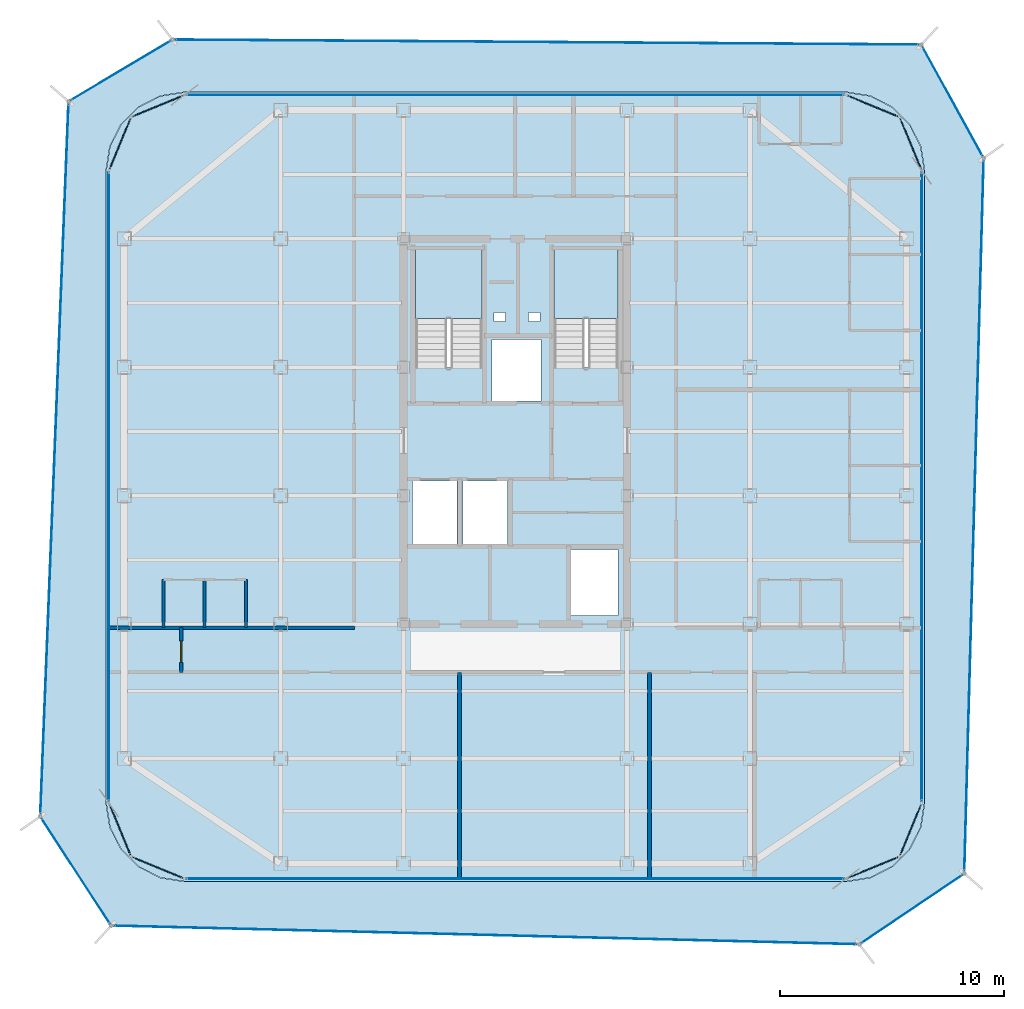
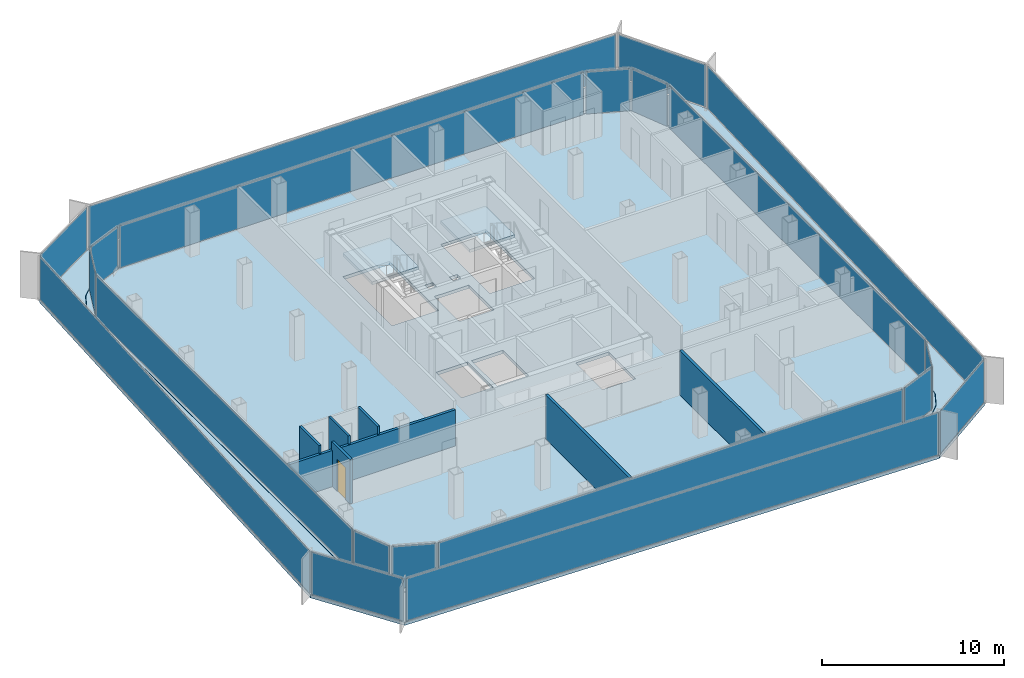
# One storey, part 9 of 15: 20 plates, 8 walls, 4 slabs, 1 door, 1 opening, 22 elements without a shape of their own.
"""IFC4 building model written with IfcOpenShell, lengths in metres."""

from ifc_helpers import new_model, si_unit, direction, frame, frame_2d, origin, origin_2d, place, context, subcontext, project, spatial, polyline, rectangle, outline, extrude, source, transform, mapped, material, layer, layer_set, type_object, element, fill, aggregate, save


model = new_model("IFC4")

# Units and contexts
model_context = context("Model", 3, precision=1e-05, world=origin(), true_north=direction((0.0, 1.0)))
body_context = subcontext(model_context, "Body", "Model", "MODEL_VIEW")
ifc_project = project(units=[si_unit("LENGTHUNIT", "METRE"), si_unit("AREAUNIT", "SQUARE_METRE"), si_unit("VOLUMEUNIT", "CUBIC_METRE"), si_unit("PLANEANGLEUNIT", "RADIAN"), si_unit("MASSUNIT", "GRAM", prefix="KILO")], contexts=[model_context])

# Site, building, storey
site_placement = place(None, origin())
site = spatial("IfcSite", under=ifc_project, at=site_placement, CompositionType="ELEMENT")
building_placement = place(site_placement, origin())
building = spatial("IfcBuilding", under=site, at=building_placement, Name="Kolveth Station Tower", CompositionType="ELEMENT")
storey_placement = place(building_placement, frame((0.0, 0.0, 268.10009765625)))
storey = spatial("IfcBuildingStorey", under=building, at=storey_placement, Name="L77", CompositionType="ELEMENT", Elevation=268.10009765625)

# Slab
ifc_material_1 = material(Name="Concrete C40/50", Category="concrete")
ifc_layer_1 = layer(ifc_material_1, 0.219970703125)
ifc_layer_set_1 = layer_set([ifc_layer_1], Name="Concrete C40/50")
slab_type_1 = type_object("IfcSlabType", Name="Slab_SF-220", PredefinedType="FLOOR", material=ifc_layer_set_1)
slab_1_placement = place(storey_placement, frame((0.0, 0.0, -0.22021484375)))
element("IfcSlab", 1, at=slab_1_placement, inside=storey, type_object=slab_type_1, Name="L77 Tower Structural Floor Slab", PredefinedType="FLOOR", context=body_context, shape_type="SweptSolid", body=[
    extrude(outline(polyline([(38.300048828125, 0.0), (39.381591796875, 0.17138671875), (40.357177734375, 0.66845703125), (41.131591796875, 1.44287109375), (41.628662109375, 2.41845703125), (41.800048828125, 3.5), (41.800048828125, 31.800048828125), (41.628662109375, 32.881591796875), (41.131591796875, 33.857177734375), (40.357177734375, 34.631591796875), (39.381591796875, 35.128662109375), (38.300048828125, 35.300048828125), (8.699951171875, 35.300048828125), (7.618408203125, 35.128662109375), (6.642822265625, 34.631591796875), (5.868408203125, 33.857177734375), (5.371337890625, 32.881591796875), (5.199951171875, 31.800048828125), (5.199951171875, 3.5), (5.371337890625, 2.41845703125), (5.868408203125, 1.44287109375), (6.642822265625, 0.66845703125), (7.618408203125, 0.17138671875), (8.699951171875, 0.0), (38.300048828125, 0.0)]), holes=[polyline([(19.0400390625, 22.985107421875), (22.0, 22.985107421875), (22.0, 28.39990234375), (19.0400390625, 28.39990234375), (19.0400390625, 22.985107421875)]), polyline([(25.239990234375, 22.985107421875), (28.10009765625, 22.985107421875), (28.10009765625, 28.39990234375), (25.239990234375, 28.39990234375), (25.239990234375, 22.985107421875)]), polyline([(18.89990234375, 15.10009765625), (20.89990234375, 15.10009765625), (20.89990234375, 17.89990234375), (18.89990234375, 17.89990234375), (18.89990234375, 15.10009765625)]), polyline([(21.14990234375, 15.10009765625), (23.14990234375, 15.10009765625), (23.14990234375, 17.89990234375), (21.14990234375, 17.89990234375), (21.14990234375, 15.10009765625)]), polyline([(22.449951171875, 21.5), (24.64990234375, 21.5), (24.64990234375, 24.25), (22.449951171875, 24.25), (22.449951171875, 21.5)]), polyline([(26.0, 11.89990234375), (28.10009765625, 11.89990234375), (28.10009765625, 14.85009765625), (26.0, 14.85009765625), (26.0, 11.89990234375)]), polyline([(22.550048828125, 25.050048828125), (23.050048828125, 25.050048828125), (23.050048828125, 25.449951171875), (22.550048828125, 25.449951171875), (22.550048828125, 25.050048828125)]), polyline([(24.10009765625, 25.050048828125), (24.60009765625, 25.050048828125), (24.60009765625, 25.449951171875), (24.10009765625, 25.449951171875), (24.10009765625, 25.050048828125)])]), origin(), (0.0, 0.0, 1.0), 0.22021484375),
])

# Stair, slab
stair_type_1 = type_object("IfcStairType", Name="Stair_ST2", PredefinedType="HALF_TURN_STAIR", material=ifc_material_1)
stair_1_placement = place(storey_placement, origin())
stair_1 = element("IfcStair", 2, at=stair_1_placement, inside=storey, type_object=stair_type_1, Name="L77 Tower Exit Stair ST2", PredefinedType="HALF_TURN_STAIR")
ifc_layer_2 = layer(ifc_material_1, 0.18994140625)
ifc_layer_set_2 = layer_set([ifc_layer_2], Name="Concrete C40/50")
slab_type_2 = type_object("IfcSlabType", Name="Slab_SL-190", PredefinedType="LANDING", material=ifc_layer_set_2)
slab_2_placement = place(storey_placement, frame((0.0, 0.0, 1.39990234375)))
slab_2 = element("IfcSlab", 3, at=slab_2_placement, type_object=slab_type_2, Name="ST2 landing 1", PredefinedType="LANDING", context=body_context, shape_type="SweptSolid", body=[
    extrude(outline(polyline([(28.10009765625, 25.18994140625), (28.10009765625, 28.39990234375), (25.239990234375, 28.39990234375), (25.239990234375, 25.18994140625), (28.10009765625, 25.18994140625)])), origin(), (0.0, 0.0, 1.0), 0.199951171875),
])
aggregate(stair_1, [slab_2])

stair_type_2 = type_object("IfcStairType", Name="Stair_ST1", PredefinedType="HALF_TURN_STAIR", material=ifc_material_1)
stair_2_placement = place(storey_placement, origin())
stair_2 = element("IfcStair", 4, at=stair_2_placement, inside=storey, type_object=stair_type_2, Name="L77 Tower Exit Stair ST1", PredefinedType="HALF_TURN_STAIR")
ifc_layer_3 = layer(ifc_material_1, 0.205078125)
ifc_layer_set_3 = layer_set([ifc_layer_3], Name="Concrete C40/50")
slab_type_3 = type_object("IfcSlabType", Name="Slab_SL-205", PredefinedType="LANDING", material=ifc_layer_set_3)
slab_3_placement = place(storey_placement, frame((0.0, 0.0, 1.39990234375)))
slab_3 = element("IfcSlab", 5, at=slab_3_placement, type_object=slab_type_3, Name="ST1 landing 1", PredefinedType="LANDING", context=body_context, shape_type="SweptSolid", body=[
    extrude(outline(polyline([(22.0, 25.18994140625), (22.0, 28.39990234375), (19.0400390625, 28.39990234375), (19.0400390625, 25.18994140625), (22.0, 25.18994140625)])), origin(), (0.0, 0.0, 1.0), 0.199951171875),
])
aggregate(stair_2, [slab_3])

# Slab
ifc_layer_4 = layer(ifc_material_1, 0.2099609375)
ifc_layer_set_4 = layer_set([ifc_layer_4], Name="Concrete C40/50")
slab_type_4 = type_object("IfcSlabType", Name="Slab_ST-210", PredefinedType="FLOOR", material=ifc_layer_set_4)
slab_4_placement = place(storey_placement, frame((0.0, 0.0, -0.210205078125)))
element("IfcSlab", 6, at=slab_4_placement, inside=storey, type_object=slab_type_4, Name="L77 Double-Skin Cavity Structural Ledger Ring", PredefinedType="FLOOR", context=body_context, shape_type="SweptSolid", body=[
    extrude(outline(polyline([(5.4208984375, -1.98291015625), (2.248291015625, 2.903564453125), (3.5166015625, 34.889892578125), (8.1630859375, 37.6552734375), (41.664306640625, 37.431640625), (44.456787109375, 32.35986328125), (43.589599609375, 0.349365234375), (38.894287109375, -2.819091796875), (5.4208984375, -1.98291015625)]), holes=[polyline([(38.30224609375, -0.014892578125), (39.3837890625, 0.156494140625), (39.388427734375, 0.157958984375), (40.364013671875, 0.655029296875), (40.367919921875, 0.65771484375), (41.14208984375, 1.43212890625), (41.14501953125, 1.43603515625), (41.64208984375, 2.41162109375), (41.6435546875, 2.416015625), (41.814697265625, 3.497802734375), (41.81494140625, 3.5), (41.81494140625, 31.800048828125), (41.814697265625, 31.80224609375), (41.6435546875, 32.8837890625), (41.64208984375, 32.888427734375), (41.14501953125, 33.864013671875), (41.14208984375, 33.867919921875), (40.367919921875, 34.64208984375), (40.364013671875, 34.64501953125), (39.388427734375, 35.14208984375), (39.3837890625, 35.1435546875), (38.30224609375, 35.314697265625), (38.300048828125, 35.31494140625), (8.699951171875, 35.31494140625), (8.69775390625, 35.314697265625), (7.6162109375, 35.1435546875), (7.611572265625, 35.14208984375), (6.635986328125, 34.64501953125), (6.632080078125, 34.64208984375), (5.85791015625, 33.867919921875), (5.85498046875, 33.864013671875), (5.35791015625, 32.888427734375), (5.3564453125, 32.8837890625), (5.185302734375, 31.80224609375), (5.18505859375, 31.800048828125), (5.18505859375, 3.5), (5.185302734375, 3.497802734375), (5.3564453125, 2.416015625), (5.35791015625, 2.41162109375), (5.85498046875, 1.43603515625), (5.85791015625, 1.43212890625), (6.632080078125, 0.65771484375), (6.635986328125, 0.655029296875), (7.611572265625, 0.157958984375), (7.6162109375, 0.156494140625), (8.69775390625, -0.014892578125), (8.699951171875, -0.014892578125), (38.300048828125, -0.014892578125), (38.30224609375, -0.014892578125)])]), origin(), (0.0, 0.0, 1.0), 0.210205078125),
])

# Curtain wall, plate
ifc_material_2 = material(Name="Aluminium 6063-T6 and triple low-E dark glass", Category="aluminium")
ifc_layer_5 = layer(ifc_material_2, 0.199951171875)
ifc_layer_set_5 = layer_set([ifc_layer_5], Name="Aluminium 6063-T6 and triple low-E dark glass")
curtain_wall_type_1 = type_object("IfcCurtainWallType", Name="CurtainWall_CW-Z3", PredefinedType="NOTDEFINED", material=ifc_layer_set_5)
curtain_wall_1_placement = place(storey_placement, origin())
curtain_wall_1 = element("IfcCurtainWall", 7, at=curtain_wall_1_placement, inside=storey, type_object=curtain_wall_type_1, Name="L77 Inner Thermal Curtain Wall 1", PredefinedType="NOTDEFINED")
ifc_material_3 = material(Name="Architectural low-E dark glass", Category="glass")
ifc_layer_6 = layer(ifc_material_3, 0.0419921875)
ifc_layer_set_6 = layer_set([ifc_layer_6], Name="Architectural low-E dark glass")
plate_type_1 = type_object("IfcPlateType", Name="Panel_GL3", PredefinedType="CURTAIN_PANEL", material=ifc_layer_set_6)
shared_shape_1 = source(origin(), body_context, "Body", "SweptSolid", [
    extrude(rectangle(XDim=2.430908203125, YDim=0.0419921875, at=origin_2d()), origin(), (0.0, 0.0, 1.0), 2.823974609375),
])
plate_1_placement = place(storey_placement, frame((39.4951171875, 0.614990234375, 0.078125), z_axis=(0.0, 0.0, 1.0), x_axis=(0.923875488975, 0.382693194181, 0.0)))
plate_1 = element("IfcPlate", 8, at=plate_1_placement, type_object=plate_type_1, Name="CW-Z3 panel 1.1", PredefinedType="CURTAIN_PANEL", context=body_context, shape_type="MappedRepresentation", body=[
    mapped(shared_shape_1, transform((0.0, 0.0, 0.0), x_axis=(1.0, 0.0, 0.0), y_axis=(0.0, 1.0, 0.0), z_axis=(0.0, 0.0, 1.0), scale=1.0)),
])
aggregate(curtain_wall_1, [plate_1])

curtain_wall_2_placement = place(storey_placement, origin())
curtain_wall_2 = element("IfcCurtainWall", 9, at=curtain_wall_2_placement, inside=storey, type_object=curtain_wall_type_1, Name="L77 Inner Thermal Curtain Wall 2", PredefinedType="NOTDEFINED")
plate_2_placement = place(storey_placement, frame((41.18505859375, 2.304931640625, 0.078125), z_axis=(0.0, 0.0, 1.0), x_axis=(0.382693194181, 0.923875488975, 0.0)))
plate_2 = element("IfcPlate", 10, at=plate_2_placement, type_object=plate_type_1, Name="CW-Z3 panel 1.1", PredefinedType="CURTAIN_PANEL", context=body_context, shape_type="MappedRepresentation", body=[
    mapped(shared_shape_1, transform((0.0, 0.0, 0.0), x_axis=(1.0, 0.0, 0.0), y_axis=(0.0, 1.0, 0.0), z_axis=(0.0, 0.0, 1.0), scale=1.0)),
])
aggregate(curtain_wall_2, [plate_2])

curtain_wall_3_placement = place(storey_placement, origin())
curtain_wall_3 = element("IfcCurtainWall", 11, at=curtain_wall_3_placement, inside=storey, type_object=curtain_wall_type_1, Name="L77 Inner Thermal Curtain Wall 4", PredefinedType="NOTDEFINED")
plate_3_placement = place(storey_placement, frame((41.18505859375, 32.9951171875, 0.078125), z_axis=(0.0, 0.0, 1.0), x_axis=(-0.382693194181, 0.923875488975, 0.0)))
plate_3 = element("IfcPlate", 12, at=plate_3_placement, type_object=plate_type_1, Name="CW-Z3 panel 1.1", PredefinedType="CURTAIN_PANEL", context=body_context, shape_type="MappedRepresentation", body=[
    mapped(shared_shape_1, transform((0.0, 0.0, 0.0), x_axis=(1.0, 0.0, 0.0), y_axis=(0.0, 1.0, 0.0), z_axis=(0.0, 0.0, 1.0), scale=1.0)),
])
aggregate(curtain_wall_3, [plate_3])

curtain_wall_4_placement = place(storey_placement, origin())
curtain_wall_4 = element("IfcCurtainWall", 13, at=curtain_wall_4_placement, inside=storey, type_object=curtain_wall_type_1, Name="L77 Inner Thermal Curtain Wall 5", PredefinedType="NOTDEFINED")
plate_4_placement = place(storey_placement, frame((39.4951171875, 34.68505859375, 0.078125), z_axis=(0.0, 0.0, 1.0), x_axis=(-0.923875488975, 0.382693194181, 0.0)))
plate_4 = element("IfcPlate", 14, at=plate_4_placement, type_object=plate_type_1, Name="CW-Z3 panel 1.1", PredefinedType="CURTAIN_PANEL", context=body_context, shape_type="MappedRepresentation", body=[
    mapped(shared_shape_1, transform((0.0, 0.0, 0.0), x_axis=(1.0, 0.0, 0.0), y_axis=(0.0, 1.0, 0.0), z_axis=(0.0, 0.0, 1.0), scale=1.0)),
])
aggregate(curtain_wall_4, [plate_4])

curtain_wall_5_placement = place(storey_placement, origin())
curtain_wall_5 = element("IfcCurtainWall", 15, at=curtain_wall_5_placement, inside=storey, type_object=curtain_wall_type_1, Name="L77 Inner Thermal Curtain Wall 7", PredefinedType="NOTDEFINED")
plate_5_placement = place(storey_placement, frame((7.5048828125, 34.68505859375, 0.078125), z_axis=(0.0, 0.0, 1.0), x_axis=(-0.923875488975, -0.382693194181, 0.0)))
plate_5 = element("IfcPlate", 16, at=plate_5_placement, type_object=plate_type_1, Name="CW-Z3 panel 1.1", PredefinedType="CURTAIN_PANEL", context=body_context, shape_type="MappedRepresentation", body=[
    mapped(shared_shape_1, transform((0.0, 0.0, 0.0), x_axis=(1.0, 0.0, 0.0), y_axis=(0.0, 1.0, 0.0), z_axis=(0.0, 0.0, 1.0), scale=1.0)),
])
aggregate(curtain_wall_5, [plate_5])

curtain_wall_6_placement = place(storey_placement, origin())
curtain_wall_6 = element("IfcCurtainWall", 17, at=curtain_wall_6_placement, inside=storey, type_object=curtain_wall_type_1, Name="L77 Inner Thermal Curtain Wall 8", PredefinedType="NOTDEFINED")
plate_6_placement = place(storey_placement, frame((5.81494140625, 32.9951171875, 0.078125), z_axis=(0.0, 0.0, 1.0), x_axis=(-0.382693194181, -0.923875488975, 0.0)))
plate_6 = element("IfcPlate", 18, at=plate_6_placement, type_object=plate_type_1, Name="CW-Z3 panel 1.1", PredefinedType="CURTAIN_PANEL", context=body_context, shape_type="MappedRepresentation", body=[
    mapped(shared_shape_1, transform((0.0, 0.0, 0.0), x_axis=(1.0, 0.0, 0.0), y_axis=(0.0, 1.0, 0.0), z_axis=(0.0, 0.0, 1.0), scale=1.0)),
])
aggregate(curtain_wall_6, [plate_6])

curtain_wall_7_placement = place(storey_placement, origin())
curtain_wall_7 = element("IfcCurtainWall", 19, at=curtain_wall_7_placement, inside=storey, type_object=curtain_wall_type_1, Name="L77 Inner Thermal Curtain Wall 10", PredefinedType="NOTDEFINED")
plate_7_placement = place(storey_placement, frame((5.81494140625, 2.304931640625, 0.078125), z_axis=(0.0, 0.0, 1.0), x_axis=(0.382693194181, -0.923875488975, 0.0)))
plate_7 = element("IfcPlate", 20, at=plate_7_placement, type_object=plate_type_1, Name="CW-Z3 panel 1.1", PredefinedType="CURTAIN_PANEL", context=body_context, shape_type="MappedRepresentation", body=[
    mapped(shared_shape_1, transform((0.0, 0.0, 0.0), x_axis=(1.0, 0.0, 0.0), y_axis=(0.0, 1.0, 0.0), z_axis=(0.0, 0.0, 1.0), scale=1.0)),
])
aggregate(curtain_wall_7, [plate_7])

curtain_wall_8_placement = place(storey_placement, origin())
curtain_wall_8 = element("IfcCurtainWall", 21, at=curtain_wall_8_placement, inside=storey, type_object=curtain_wall_type_1, Name="L77 Inner Thermal Curtain Wall 11", PredefinedType="NOTDEFINED")
plate_8_placement = place(storey_placement, frame((7.5048828125, 0.614990234375, 0.078125), z_axis=(0.0, 0.0, 1.0), x_axis=(0.923875488975, -0.382693194181, 0.0)))
plate_8 = element("IfcPlate", 22, at=plate_8_placement, type_object=plate_type_1, Name="CW-Z3 panel 1.1", PredefinedType="CURTAIN_PANEL", context=body_context, shape_type="MappedRepresentation", body=[
    mapped(shared_shape_1, transform((0.0, 0.0, 0.0), x_axis=(1.0, 0.0, 0.0), y_axis=(0.0, 1.0, 0.0), z_axis=(0.0, 0.0, 1.0), scale=1.0)),
])
aggregate(curtain_wall_8, [plate_8])

curtain_wall_9_placement = place(storey_placement, origin())
curtain_wall_9 = element("IfcCurtainWall", 23, at=curtain_wall_9_placement, inside=storey, type_object=curtain_wall_type_1, Name="L77 Inner Thermal Curtain Wall 3", PredefinedType="NOTDEFINED")
shared_shape_2 = source(origin(), body_context, "Body", "SweptSolid", [
    extrude(rectangle(XDim=28.14404296875, YDim=0.0419921875, at=origin_2d()), origin(), (0.0, 0.0, 1.0), 2.823974609375),
])
plate_9_placement = place(storey_placement, frame((41.679931640625, 17.64990234375, 0.078125), z_axis=(0.0, 0.0, 1.0), x_axis=(0.0, 1.0, 0.0)))
plate_9 = element("IfcPlate", 24, at=plate_9_placement, type_object=plate_type_1, Name="CW-Z3 panel 1.1", PredefinedType="CURTAIN_PANEL", context=body_context, shape_type="MappedRepresentation", body=[
    mapped(shared_shape_2, transform((0.0, 0.0, 0.0), x_axis=(1.0, 0.0, 0.0), y_axis=(0.0, 1.0, 0.0), z_axis=(0.0, 0.0, 1.0), scale=1.0)),
])
aggregate(curtain_wall_9, [plate_9])

curtain_wall_10_placement = place(storey_placement, origin())
curtain_wall_10 = element("IfcCurtainWall", 25, at=curtain_wall_10_placement, inside=storey, type_object=curtain_wall_type_1, Name="L77 Inner Thermal Curtain Wall 9", PredefinedType="NOTDEFINED")
plate_10_placement = place(storey_placement, frame((5.320068359375, 17.64990234375, 0.078125), z_axis=(0.0, 0.0, 1.0), x_axis=(0.0, -1.0, 0.0)))
plate_10 = element("IfcPlate", 26, at=plate_10_placement, type_object=plate_type_1, Name="CW-Z3 panel 1.1", PredefinedType="CURTAIN_PANEL", context=body_context, shape_type="MappedRepresentation", body=[
    mapped(shared_shape_2, transform((0.0, 0.0, 0.0), x_axis=(1.0, 0.0, 0.0), y_axis=(0.0, 1.0, 0.0), z_axis=(0.0, 0.0, 1.0), scale=1.0)),
])
aggregate(curtain_wall_10, [plate_10])

curtain_wall_11_placement = place(storey_placement, origin())
curtain_wall_11 = element("IfcCurtainWall", 27, at=curtain_wall_11_placement, inside=storey, type_object=curtain_wall_type_1, Name="L77 Inner Thermal Curtain Wall 6", PredefinedType="NOTDEFINED")
shared_shape_3 = source(origin(), body_context, "Body", "SweptSolid", [
    extrude(rectangle(XDim=29.444091796875, YDim=0.0419921875, at=origin_2d()), origin(), (0.0, 0.0, 1.0), 2.823974609375),
])
plate_11_placement = place(storey_placement, frame((23.5, 35.179931640625, 0.078125), z_axis=(0.0, 0.0, 1.0), x_axis=(-1.0, 0.0, 0.0)))
plate_11 = element("IfcPlate", 28, at=plate_11_placement, type_object=plate_type_1, Name="CW-Z3 panel 1.1", PredefinedType="CURTAIN_PANEL", context=body_context, shape_type="MappedRepresentation", body=[
    mapped(shared_shape_3, transform((0.0, 0.0, 0.0), x_axis=(1.0, 0.0, 0.0), y_axis=(0.0, 1.0, 0.0), z_axis=(0.0, 0.0, 1.0), scale=1.0)),
])
aggregate(curtain_wall_11, [plate_11])

curtain_wall_12_placement = place(storey_placement, origin())
curtain_wall_12 = element("IfcCurtainWall", 29, at=curtain_wall_12_placement, inside=storey, type_object=curtain_wall_type_1, Name="L77 Inner Thermal Curtain Wall 12", PredefinedType="NOTDEFINED")
plate_12_placement = place(storey_placement, frame((23.5, 0.1201171875, 0.078125), z_axis=(0.0, 0.0, 1.0), x_axis=(1.0, 0.0, 0.0)))
plate_12 = element("IfcPlate", 30, at=plate_12_placement, type_object=plate_type_1, Name="CW-Z3 panel 1.1", PredefinedType="CURTAIN_PANEL", context=body_context, shape_type="MappedRepresentation", body=[
    mapped(shared_shape_3, transform((0.0, 0.0, 0.0), x_axis=(1.0, 0.0, 0.0), y_axis=(0.0, 1.0, 0.0), z_axis=(0.0, 0.0, 1.0), scale=1.0)),
])
aggregate(curtain_wall_12, [plate_12])

ifc_material_4 = material(Name="Black anodized aluminium 6063-T6 and dark solar glass", Category="aluminium")
ifc_layer_7 = layer(ifc_material_4, 0.159912109375)
ifc_layer_set_7 = layer_set([ifc_layer_7], Name="Black anodized aluminium 6063-T6 and dark solar glass")
curtain_wall_type_2 = type_object("IfcCurtainWallType", Name="OUTER SKIN CW-OS", PredefinedType="NOTDEFINED", material=ifc_layer_set_7)
curtain_wall_13_placement = place(storey_placement, origin())
curtain_wall_13 = element("IfcCurtainWall", 31, at=curtain_wall_13_placement, inside=storey, type_object=curtain_wall_type_2, Name="L77 Outer Ventilated Skin Curtain Wall 1", PredefinedType="NOTDEFINED")
ifc_layer_8 = layer(ifc_material_3, 0.028076171875)
ifc_layer_set_8 = layer_set([ifc_layer_8], Name="Architectural low-E dark glass")
plate_type_2 = type_object("IfcPlateType", Name="Panel_GL-OS", PredefinedType="CURTAIN_PANEL", material=ifc_layer_set_8)
shared_shape_4 = source(origin(), body_context, "Body", "SweptSolid", [
    extrude(rectangle(XDim=5.498291015625, YDim=0.028076171875, at=origin_2d()), origin(), (0.0, 0.0, 1.0), 2.833984375),
])
plate_13_placement = place(storey_placement, frame((41.241943359375, -1.23486328125, 0.072998046875), z_axis=(0.0, 0.0, 1.0), x_axis=(0.828919073685, 0.55936854513, 0.0)))
plate_13 = element("IfcPlate", 32, at=plate_13_placement, type_object=plate_type_2, Name="CW-OS panel 1.1", PredefinedType="CURTAIN_PANEL", context=body_context, shape_type="MappedRepresentation", body=[
    mapped(shared_shape_4, transform((0.0, 0.0, 0.0), x_axis=(1.0, 0.0, 0.0), y_axis=(0.0, 1.0, 0.0), z_axis=(0.0, 0.0, 1.0), scale=1.0)),
])
aggregate(curtain_wall_13, [plate_13])

curtain_wall_14_placement = place(storey_placement, origin())
curtain_wall_14 = element("IfcCurtainWall", 33, at=curtain_wall_14_placement, inside=storey, type_object=curtain_wall_type_2, Name="L77 Outer Ventilated Skin Curtain Wall 2", PredefinedType="NOTDEFINED")
shared_shape_5 = source(origin(), body_context, "Body", "SweptSolid", [
    extrude(rectangle(XDim=31.856201171875, YDim=0.028076171875, at=origin_2d()), origin(), (0.0, 0.0, 1.0), 2.833984375),
])
plate_14_placement = place(storey_placement, frame((44.023193359375, 16.3544921875, 0.072998046875), z_axis=(0.0, 0.0, 1.0), x_axis=(0.02708750036, 0.999633066342, 0.0)))
plate_14 = element("IfcPlate", 34, at=plate_14_placement, type_object=plate_type_2, Name="CW-OS panel 1.1", PredefinedType="CURTAIN_PANEL", context=body_context, shape_type="MappedRepresentation", body=[
    mapped(shared_shape_5, transform((0.0, 0.0, 0.0), x_axis=(1.0, 0.0, 0.0), y_axis=(0.0, 1.0, 0.0), z_axis=(0.0, 0.0, 1.0), scale=1.0)),
])
aggregate(curtain_wall_14, [plate_14])

curtain_wall_15_placement = place(storey_placement, origin())
curtain_wall_15 = element("IfcCurtainWall", 35, at=curtain_wall_15_placement, inside=storey, type_object=curtain_wall_type_2, Name="L77 Outer Ventilated Skin Curtain Wall 3", PredefinedType="NOTDEFINED")
shared_shape_6 = source(origin(), body_context, "Body", "SweptSolid", [
    extrude(rectangle(XDim=5.623779296875, YDim=0.028076171875, at=origin_2d()), origin(), (0.0, 0.0, 1.0), 2.833984375),
])
plate_15_placement = place(storey_placement, frame((43.060546875, 34.895751953125, 0.072998046875), z_axis=(0.0, 0.0, 1.0), x_axis=(-0.482317843133, 0.875996288916, 0.0)))
plate_15 = element("IfcPlate", 36, at=plate_15_placement, type_object=plate_type_2, Name="CW-OS panel 1.1", PredefinedType="CURTAIN_PANEL", context=body_context, shape_type="MappedRepresentation", body=[
    mapped(shared_shape_6, transform((0.0, 0.0, 0.0), x_axis=(1.0, 0.0, 0.0), y_axis=(0.0, 1.0, 0.0), z_axis=(0.0, 0.0, 1.0), scale=1.0)),
])
aggregate(curtain_wall_15, [plate_15])

curtain_wall_16_placement = place(storey_placement, origin())
curtain_wall_16 = element("IfcCurtainWall", 37, at=curtain_wall_16_placement, inside=storey, type_object=curtain_wall_type_2, Name="L77 Outer Ventilated Skin Curtain Wall 4", PredefinedType="NOTDEFINED")
shared_shape_7 = source(origin(), body_context, "Body", "SweptSolid", [
    extrude(rectangle(XDim=33.3359375, YDim=0.028076171875, at=origin_2d()), origin(), (0.0, 0.0, 1.0), 2.833984375),
])
plate_16_placement = place(storey_placement, frame((24.913818359375, 37.54345703125, 0.072998046875), z_axis=(0.0, 0.0, 1.0), x_axis=(-0.999977707225, 0.006677203964, 0.0)))
plate_16 = element("IfcPlate", 38, at=plate_16_placement, type_object=plate_type_2, Name="CW-OS panel 1.1", PredefinedType="CURTAIN_PANEL", context=body_context, shape_type="MappedRepresentation", body=[
    mapped(shared_shape_7, transform((0.0, 0.0, 0.0), x_axis=(1.0, 0.0, 0.0), y_axis=(0.0, 1.0, 0.0), z_axis=(0.0, 0.0, 1.0), scale=1.0)),
])
aggregate(curtain_wall_16, [plate_16])

curtain_wall_17_placement = place(storey_placement, origin())
curtain_wall_17 = element("IfcCurtainWall", 39, at=curtain_wall_17_placement, inside=storey, type_object=curtain_wall_type_2, Name="L77 Outer Ventilated Skin Curtain Wall 5", PredefinedType="NOTDEFINED")
shared_shape_8 = source(origin(), body_context, "Body", "SweptSolid", [
    extrude(rectangle(XDim=5.2412109375, YDim=0.028076171875, at=origin_2d()), origin(), (0.0, 0.0, 1.0), 2.833984375),
])
plate_17_placement = place(storey_placement, frame((5.83984375, 36.2724609375, 0.072998046875), z_axis=(0.0, 0.0, 1.0), x_axis=(-0.859310301972, -0.51145459713, 0.0)))
plate_17 = element("IfcPlate", 40, at=plate_17_placement, type_object=plate_type_2, Name="CW-OS panel 1.1", PredefinedType="CURTAIN_PANEL", context=body_context, shape_type="MappedRepresentation", body=[
    mapped(shared_shape_8, transform((0.0, 0.0, 0.0), x_axis=(1.0, 0.0, 0.0), y_axis=(0.0, 1.0, 0.0), z_axis=(0.0, 0.0, 1.0), scale=1.0)),
])
aggregate(curtain_wall_17, [plate_17])

curtain_wall_18_placement = place(storey_placement, origin())
curtain_wall_18 = element("IfcCurtainWall", 41, at=curtain_wall_18_placement, inside=storey, type_object=curtain_wall_type_2, Name="L77 Outer Ventilated Skin Curtain Wall 6", PredefinedType="NOTDEFINED")
shared_shape_9 = source(origin(), body_context, "Body", "SweptSolid", [
    extrude(rectangle(XDim=31.84521484375, YDim=0.028076171875, at=origin_2d()), origin(), (0.0, 0.0, 1.0), 2.833984375),
])
plate_18_placement = place(storey_placement, frame((2.882568359375, 18.896728515625, 0.072998046875), z_axis=(0.0, 0.0, 1.0), x_axis=(-0.039623459591, -0.999214682363, 0.0)))
plate_18 = element("IfcPlate", 42, at=plate_18_placement, type_object=plate_type_2, Name="CW-OS panel 1.1", PredefinedType="CURTAIN_PANEL", context=body_context, shape_type="MappedRepresentation", body=[
    mapped(shared_shape_9, transform((0.0, 0.0, 0.0), x_axis=(1.0, 0.0, 0.0), y_axis=(0.0, 1.0, 0.0), z_axis=(0.0, 0.0, 1.0), scale=1.0)),
])
aggregate(curtain_wall_18, [plate_18])

curtain_wall_19_placement = place(storey_placement, origin())
curtain_wall_19 = element("IfcCurtainWall", 43, at=curtain_wall_19_placement, inside=storey, type_object=curtain_wall_type_2, Name="L77 Outer Ventilated Skin Curtain Wall 7", PredefinedType="NOTDEFINED")
shared_shape_10 = source(origin(), body_context, "Body", "SweptSolid", [
    extrude(rectangle(XDim=5.659912109375, YDim=0.028076171875, at=origin_2d()), origin(), (0.0, 0.0, 1.0), 2.833984375),
])
plate_19_placement = place(storey_placement, frame((3.83447265625, 0.46044921875, 0.072998046875), z_axis=(0.0, 0.0, 1.0), x_axis=(0.544538801776, -0.838735651657, 0.0)))
plate_19 = element("IfcPlate", 44, at=plate_19_placement, type_object=plate_type_2, Name="CW-OS panel 1.1", PredefinedType="CURTAIN_PANEL", context=body_context, shape_type="MappedRepresentation", body=[
    mapped(shared_shape_10, transform((0.0, 0.0, 0.0), x_axis=(1.0, 0.0, 0.0), y_axis=(0.0, 1.0, 0.0), z_axis=(0.0, 0.0, 1.0), scale=1.0)),
])
aggregate(curtain_wall_19, [plate_19])

curtain_wall_20_placement = place(storey_placement, origin())
curtain_wall_20 = element("IfcCurtainWall", 45, at=curtain_wall_20_placement, inside=storey, type_object=curtain_wall_type_2, Name="L77 Outer Ventilated Skin Curtain Wall 8", PredefinedType="NOTDEFINED")
shared_shape_11 = source(origin(), body_context, "Body", "SweptSolid", [
    extrude(rectangle(XDim=33.31787109375, YDim=0.028076171875, at=origin_2d()), origin(), (0.0, 0.0, 1.0), 2.833984375),
])
plate_20_placement = place(storey_placement, frame((22.157470703125, -2.40087890625, 0.072998046875), z_axis=(0.0, 0.0, 1.0), x_axis=(0.999688196459, -0.024970179426, 0.0)))
plate_20 = element("IfcPlate", 46, at=plate_20_placement, type_object=plate_type_2, Name="CW-OS panel 1.1", PredefinedType="CURTAIN_PANEL", context=body_context, shape_type="MappedRepresentation", body=[
    mapped(shared_shape_11, transform((0.0, 0.0, 0.0), x_axis=(1.0, 0.0, 0.0), y_axis=(0.0, 1.0, 0.0), z_axis=(0.0, 0.0, 1.0), scale=1.0)),
])
aggregate(curtain_wall_20, [plate_20])

# Walls
ifc_material_5 = material(Name="Moisture-resistant gypsum partition")
ifc_layer_9 = layer(ifc_material_5, 0.135009765625)
ifc_layer_set_9 = layer_set([ifc_layer_9], Name="Moisture-resistant gypsum partition")
wall_type_1 = type_object("IfcWallType", Name="Wall_IW-135", PredefinedType="PARTITIONING", material=ifc_layer_set_9)
for number, where, z_axis, x_axis, name in (
    (47, (7.75, 11.35009765625, 0.0), (0.0, 0.0, 1.0), (0.0, 1.0, 0.0), "L77 Partition Wall WL-L77-W1-IBV0"),
    (48, (9.60009765625, 11.35009765625, 0.0), (0.0, 0.0, 1.0), (0.0, 1.0, 0.0), "L77 Partition Wall WL-L77-W1-IBV1"),
    (49, (11.449951171875, 11.35009765625, 0.0), (0.0, 0.0, 1.0), (0.0, 1.0, 0.0), "L77 Partition Wall WL-L77-W1-IBV2"),
):
    element("IfcWall", number, at=place(storey_placement, frame(where, z_axis=z_axis, x_axis=x_axis)), inside=storey, type_object=wall_type_1, Name=name, PredefinedType="PARTITIONING", context=body_context, shape_type="SweptSolid", body=[
        extrude(rectangle(XDim=2.14990234375, YDim=0.135009765625, at=frame_2d((1.074951171875, 0.0))), origin(), (0.0, 0.0, 1.0), 2.97998046875),
    ])
ifc_material_6 = material(Name="Acoustic double-stud gypsum partition")
ifc_layer_10 = layer(ifc_material_6, 0.1650390625)
ifc_layer_set_10 = layer_set([ifc_layer_10], Name="Acoustic double-stud gypsum partition")
wall_type_2 = type_object("IfcWallType", Name="Wall_IW-165", PredefinedType="PARTITIONING", material=ifc_layer_set_10)
wall_1_placement = place(storey_placement, frame((8.56005859375, 11.35009765625, 0.0), z_axis=(0.0, 0.0, 1.0), x_axis=(1.0, 0.0, 0.0)))
element("IfcWall", 50, at=wall_1_placement, inside=storey, type_object=wall_type_2, Name="L77 Partition Wall WL-L77-RSWT", PredefinedType="PARTITIONING", context=body_context, shape_type="SweptSolid", body=[
    extrude(rectangle(XDim=7.739990234375, YDim=0.1650390625, at=frame_2d((3.8701171875, 0.0))), origin(), (0.0, 0.0, 1.0), 2.427978515625),
])

# Wall, opening, door
wall_2_placement = place(storey_placement, frame((8.56005859375, 9.35009765625, 0.0), z_axis=(0.0, 0.0, 1.0), x_axis=(0.0, 1.0, 0.0)))
wall_2 = element("IfcWall", 51, at=wall_2_placement, inside=storey, type_object=wall_type_2, Name="L77 Partition Wall WL-L77-RSWE", PredefinedType="PARTITIONING", context=body_context, shape_type="SweptSolid", body=[
    extrude(rectangle(XDim=2.0, YDim=0.1650390625, at=frame_2d((1.0, 0.0))), origin(), (0.0, 0.0, 1.0), 2.97998046875),
])
opening_placement = place(wall_2_placement, frame((0.449951171875, 0.0, 0.0)))
opening = element("IfcOpeningElement", 52, at=opening_placement, cuts=wall_2, Name="Opening ID1", PredefinedType="OPENING", context=body_context, shape_type="SweptSolid", body=[
    extrude(rectangle(XDim=0.949951171875, YDim=2.14990234375, at=frame_2d((0.47509765625, 1.074951171875))), frame((0.0, 0.092529296875, 0.0), z_axis=(0.0, -1.0, 0.0), x_axis=(1.0, 0.0, 0.0)), (0.0, 0.0, 1.0), 0.18505859375),
])
ifc_material_7 = material(Name="Acoustic hardwood leaf and aluminium frame", Category="wood")
door_type = type_object("IfcDoorType", Name="Door_ID1", OperationType="NOTDEFINED", PredefinedType="DOOR", material=ifc_material_7)
door_placement = place(opening_placement, frame((0.949951171875, 0.0, 0.0), z_axis=(0.0, 0.0, 1.0), x_axis=(-1.0, 0.0, 0.0)))
door = element("IfcDoor", 53, at=door_placement, inside=storey, type_object=door_type, Name="L77 West Store Door", OperationType="SINGLE_SWING_LEFT", OverallHeight=2.14990234375, OverallWidth=0.949951171875, PredefinedType="DOOR", context=body_context, shape_type="SweptSolid", body=[
    extrude(rectangle(XDim=0.949951171875, YDim=2.14990234375, at=frame_2d((0.47509765625, 1.074951171875))), frame((0.0, 0.02490234375, 0.0), z_axis=(0.0, -1.0, 0.0), x_axis=(1.0, 0.0, 0.0)), (0.0, 0.0, 1.0), 0.050048828125),
])
fill(opening, door)

# Walls
for number, where, z_axis, x_axis, name in (
    (54, (21.0, 0.159912109375, 0.0), (0.0, 0.0, 1.0), (0.0, 1.0, 0.0), "L77 Partition Wall WL-L77-RSA-P1"),
    (55, (29.5, 0.159912109375, 0.0), (0.0, 0.0, 1.0), (0.0, 1.0, 0.0), "L77 Partition Wall WL-L77-RSA-P2"),
):
    element("IfcWall", number, at=place(storey_placement, frame(where, z_axis=z_axis, x_axis=x_axis)), inside=storey, type_object=wall_type_2, Name=name, PredefinedType="PARTITIONING", context=body_context, shape_type="SweptSolid", body=[
        extrude(rectangle(XDim=9.190185546875, YDim=0.1650390625, at=frame_2d((4.59521484375, 0.0))), origin(), (0.0, 0.0, 1.0), 2.97998046875),
    ])
wall_3_placement = place(storey_placement, frame((5.360107421875, 11.35009765625, 0.0), z_axis=(0.0, 0.0, 1.0), x_axis=(1.0, 0.0, 0.0)))
element("IfcWall", 56, at=wall_3_placement, inside=storey, type_object=wall_type_2, Name="L77 Partition Wall WL-L77-WSTN", PredefinedType="PARTITIONING", context=body_context, shape_type="SweptSolid", body=[
    extrude(rectangle(XDim=3.199951171875, YDim=0.1650390625, at=frame_2d((1.60009765625, 0.0))), origin(), (0.0, 0.0, 1.0), 2.427978515625),
])

save(model, "model.ifc")
